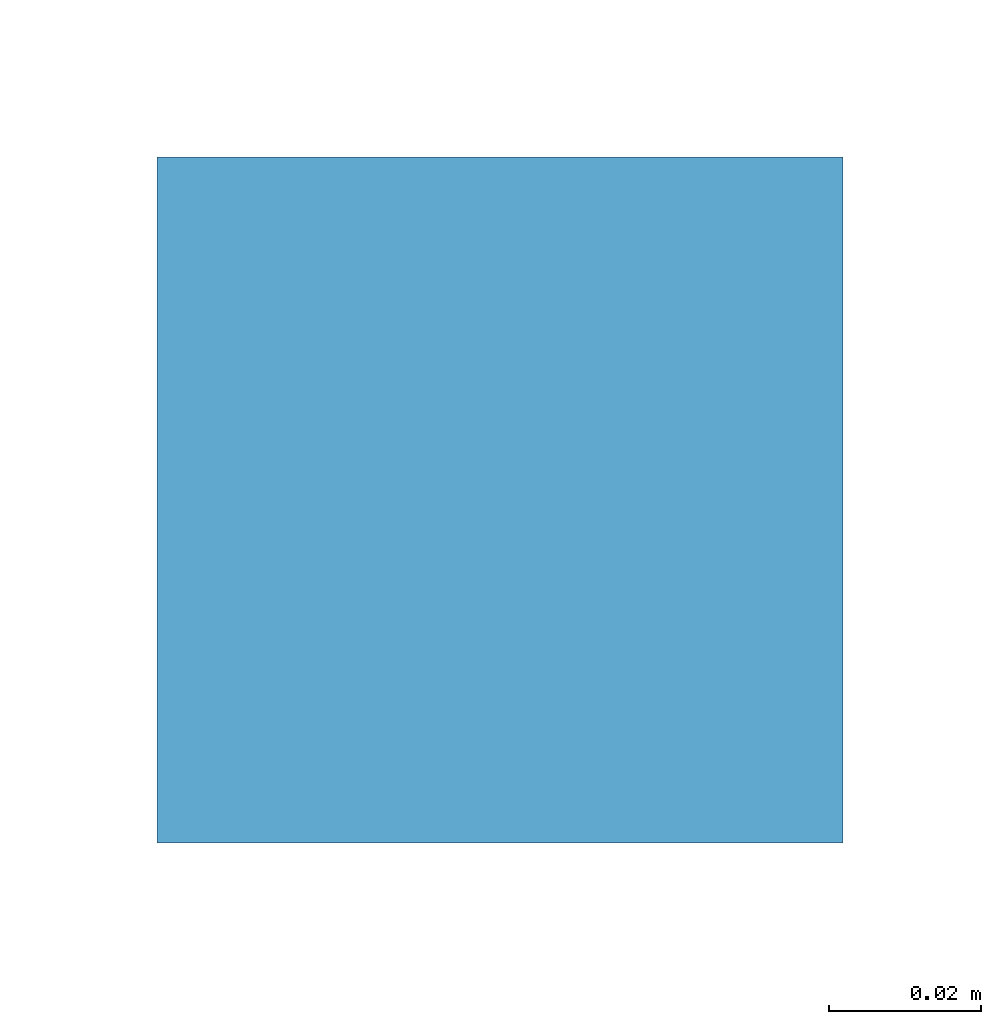
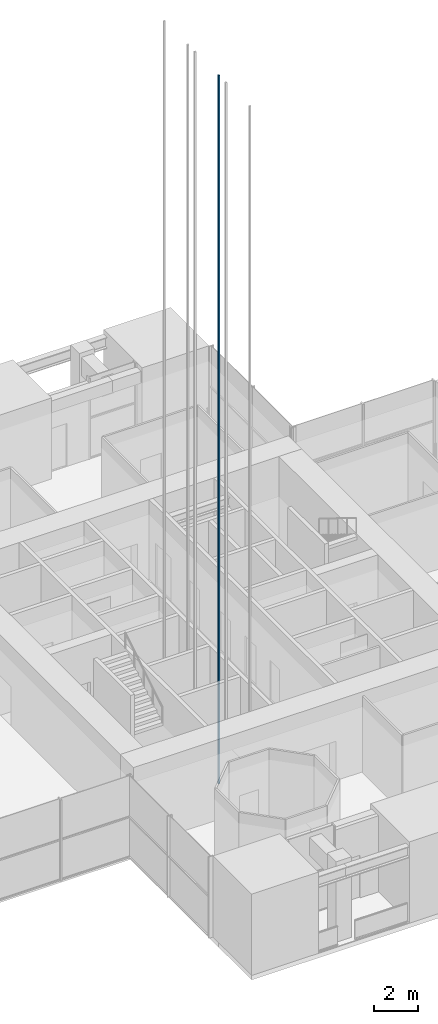
# One storey, part 10 of 17: 1 discrete accessory.
"""IFC4 building model written with IfcOpenShell, lengths in metres."""

from ifc_helpers import new_model, si_unit, direction, frame, origin, origin_2d, place, context, subcontext, project, spatial, rectangle, extrude, element, save


model = new_model("IFC4")

# Units and contexts
model_context = context("Model", 3, precision=1e-05, world=origin(), true_north=direction((0.0, 1.0)))
body_context = subcontext(model_context, "Body", "Model", "MODEL_VIEW")
ifc_project = project(units=[si_unit("LENGTHUNIT", "METRE"), si_unit("AREAUNIT", "SQUARE_METRE"), si_unit("VOLUMEUNIT", "CUBIC_METRE"), si_unit("PLANEANGLEUNIT", "RADIAN"), si_unit("MASSUNIT", "GRAM", prefix="KILO")], contexts=[model_context])

# Site, building, storey
site_placement = place(None, origin())
site = spatial("IfcSite", under=ifc_project, at=site_placement, CompositionType="ELEMENT")
building_placement = place(site_placement, origin())
building = spatial("IfcBuilding", under=site, at=building_placement, Name="Svetlomir Tower", CompositionType="ELEMENT")
storey_placement = place(building_placement, frame((0.0, 0.0, 239.5)))
storey = spatial("IfcBuildingStorey", under=building, at=storey_placement, Name="L57", CompositionType="ELEMENT", Elevation=239.5)

# Discrete accessory
discrete_accessory_placement = place(storey_placement, frame((18.300048828125, 15.625, -1.39990234375), z_axis=(0.0, 0.0, 1.0), x_axis=(1.0, 0.0, 0.0)))
element("IfcDiscreteAccessory", 1, at=discrete_accessory_placement, inside=storey, Name="Lift LD2 guide rail 1", ObjectType="LIFT GUIDE RAIL", PredefinedType="USERDEFINED", context=body_context, shape_type="SweptSolid", body=[
    extrude(rectangle(XDim=0.090087890625, YDim=0.090087890625, at=origin_2d()), origin(), (0.0, 0.0, 1.0), 39.199951171875),
])

save(model, "model.ifc")
